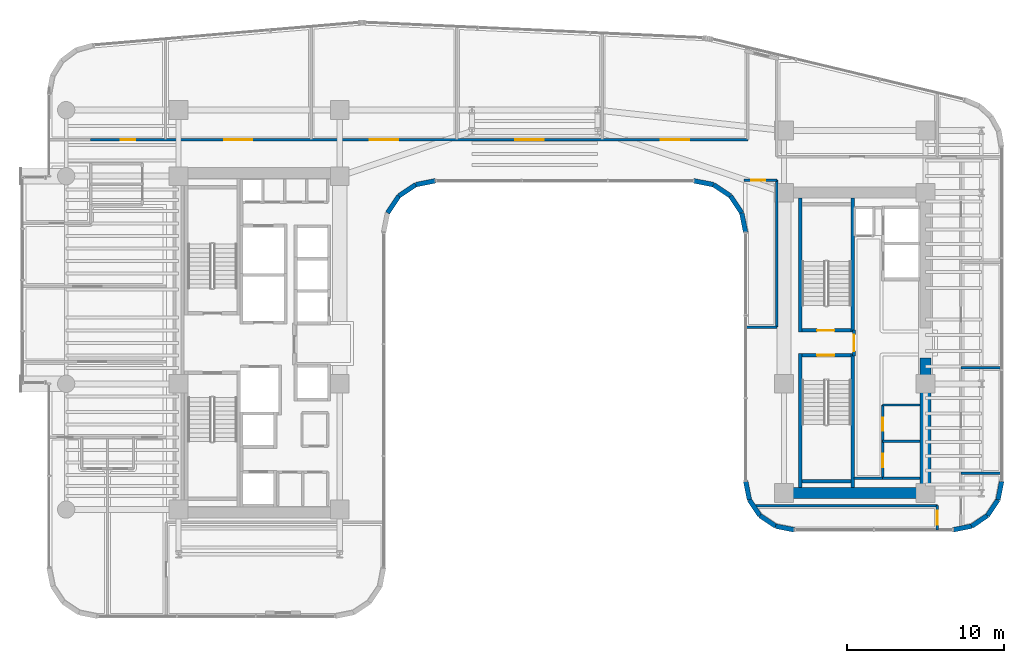
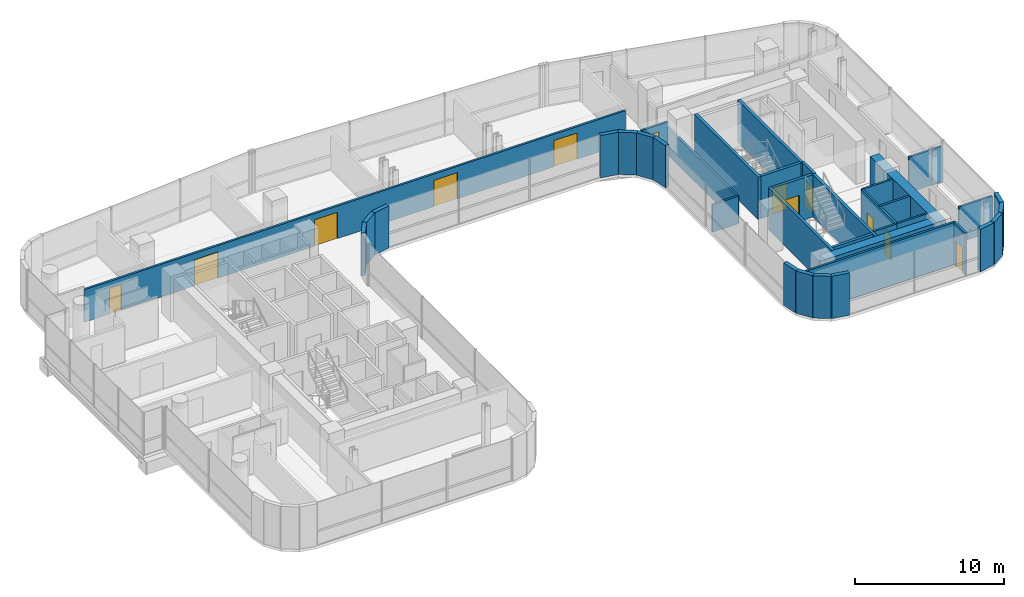
# One storey, part 28 of 35: 38 walls, 12 doors, 12 openings.
"""IFC4 building model written with IfcOpenShell, lengths in metres."""

from ifc_helpers import new_model, si_unit, direction, frame, frame_2d, origin, place, context, subcontext, project, spatial, rectangle, extrude, material, layer, layer_set, type_object, element, fill, save


model = new_model("IFC4")

# Units and contexts
model_context = context("Model", 3, precision=1e-05, world=origin(), true_north=direction((0.0, 1.0)))
body_context = subcontext(model_context, "Body", "Model", "MODEL_VIEW")
ifc_project = project(units=[si_unit("LENGTHUNIT", "METRE"), si_unit("AREAUNIT", "SQUARE_METRE"), si_unit("VOLUMEUNIT", "CUBIC_METRE"), si_unit("PLANEANGLEUNIT", "RADIAN"), si_unit("MASSUNIT", "GRAM", prefix="KILO")], contexts=[model_context])

# Site, building, storey
site_placement = place(None, origin())
site = spatial("IfcSite", under=ifc_project, at=site_placement, CompositionType="ELEMENT")
building_placement = place(site_placement, origin())
building = spatial("IfcBuilding", under=site, at=building_placement, Name="Valdorenza Pilgrim Sanctuary Tower", CompositionType="ELEMENT")
storey_placement = place(building_placement, frame((0.0, 0.0, 139.0)))
storey = spatial("IfcBuildingStorey", under=building, at=storey_placement, Name="L35", CompositionType="ELEMENT", Elevation=139.0)

# Wall
ifc_material_1 = material(Name="Acoustic twin-stud gypsum partition", Category="gypsum")
ifc_layer_1 = layer(ifc_material_1, 0.159912109375, Name="Acoustic twin-stud gypsum partition")
ifc_layer_set_1 = layer_set([ifc_layer_1], Name="Acoustic twin-stud gypsum partition")
wall_type_1 = type_object("IfcWallType", Name="WAL-COR-160", PredefinedType="PARTITIONING", material=ifc_layer_set_1)
wall_1_placement = place(storey_placement, frame((20.300048828125, -8.60009765625, 0.0), z_axis=(0.0, 0.0, 1.0), x_axis=(1.0, 0.0, 0.0)))
element("IfcWall", 1, at=wall_1_placement, inside=storey, type_object=wall_type_1, Name="L35 Core B Lift Hall South End Wall", PredefinedType="PARTITIONING", context=body_context, shape_type="SweptSolid", body=[
    extrude(rectangle(XDim=1.820068359375, YDim=0.159912109375, at=frame_2d((0.91015625, 0.0))), origin(), (0.0, 0.0, 1.0), 3.4599609375),
])

# Wall, openings, doors
wall_2_placement = place(storey_placement, frame((22.1201171875, -8.60009765625, 0.0), z_axis=(0.0, 0.0, 1.0), x_axis=(0.0, 1.0, 0.0)))
wall_2 = element("IfcWall", 2, at=wall_2_placement, inside=storey, type_object=wall_type_1, Name="L35 Core B Freed Shaft West Wall", PredefinedType="PARTITIONING", context=body_context, shape_type="SweptSolid", body=[
    extrude(rectangle(XDim=4.650146484375, YDim=0.159912109375, at=frame_2d((2.3251953125, 0.0))), origin(), (0.0, 0.0, 1.0), 3.4599609375),
])
opening_1_placement = place(wall_2_placement, frame((0.699951171875, 0.0, 0.0)))
opening_1 = element("IfcOpeningElement", 3, at=opening_1_placement, cuts=wall_2, Name="Opening DR-RS1", PredefinedType="OPENING", context=body_context, shape_type="SweptSolid", body=[
    extrude(rectangle(XDim=0.85009765625, YDim=2.050048828125, at=frame_2d((0.425048828125, 1.02490234375))), frame((0.0, 0.0947265625, 0.0), z_axis=(0.0, -1.0, 0.0), x_axis=(1.0, 0.0, 0.0)), (0.0, 0.0, 1.0), 0.189697265625),
])
opening_2_placement = place(wall_2_placement, frame((3.0, 0.0, 0.0)))
opening_2 = element("IfcOpeningElement", 4, at=opening_2_placement, cuts=wall_2, Name="Opening DR-RS1", PredefinedType="OPENING", context=body_context, shape_type="SweptSolid", body=[
    extrude(rectangle(XDim=0.85009765625, YDim=2.050048828125, at=frame_2d((0.425048828125, 1.02490234375))), frame((0.0, 0.0947265625, 0.0), z_axis=(0.0, -1.0, 0.0), x_axis=(1.0, 0.0, 0.0)), (0.0, 0.0, 1.0), 0.189697265625),
])
ifc_material_2 = material(Name="Painted galvanized steel", Category="steel")
door_type_1 = type_object("IfcDoorType", Name="DR-RSR-850", OperationType="NOTDEFINED", PredefinedType="DOOR", material=ifc_material_2)
door_1_placement = place(opening_1_placement, origin())
door_1 = element("IfcDoor", 5, at=door_1_placement, inside=storey, type_object=door_type_1, Name="L35 East Core Housekeeping Store Door", OperationType="SINGLE_SWING_RIGHT", OverallHeight=2.050048828125, OverallWidth=0.85009765625, PredefinedType="DOOR", context=body_context, shape_type="SweptSolid", body=[
    extrude(rectangle(XDim=0.85009765625, YDim=2.050048828125, at=frame_2d((0.425048828125, 1.02490234375))), frame((0.0, 0.02490234375, 0.0), z_axis=(0.0, -1.0, 0.0), x_axis=(1.0, 0.0, 0.0)), (0.0, 0.0, 1.0), 0.050048828125),
])
fill(opening_1, door_1)
door_2_placement = place(opening_2_placement, origin())
door_2 = element("IfcDoor", 6, at=door_2_placement, inside=storey, type_object=door_type_1, Name="L35 East Core Tea Pantry Door", OperationType="SINGLE_SWING_LEFT", OverallHeight=2.050048828125, OverallWidth=0.85009765625, PredefinedType="DOOR", context=body_context, shape_type="SweptSolid", body=[
    extrude(rectangle(XDim=0.85009765625, YDim=2.050048828125, at=frame_2d((0.425048828125, 1.02490234375))), frame((0.0, 0.02490234375, 0.0), z_axis=(0.0, -1.0, 0.0), x_axis=(1.0, 0.0, 0.0)), (0.0, 0.0, 1.0), 0.050048828125),
])
fill(opening_2, door_2)

# Wall
wall_3_placement = place(storey_placement, frame((22.1201171875, -6.25, 0.0), z_axis=(0.0, 0.0, 1.0), x_axis=(1.0, 0.0, 0.0)))
element("IfcWall", 7, at=wall_3_placement, inside=storey, type_object=wall_type_1, Name="L35 Core B Freed Split", PredefinedType="PARTITIONING", context=body_context, shape_type="SweptSolid", body=[
    extrude(rectangle(XDim=2.3798828125, YDim=0.159912109375, at=frame_2d((1.18994140625, 0.0))), origin(), (0.0, 0.0, 1.0), 3.4599609375),
])

# Wall, openings, doors
wall_4_placement = place(storey_placement, frame((-28.25, 12.919921875, 0.0), z_axis=(0.0, 0.0, 1.0), x_axis=(1.0, 0.0, 0.0)))
wall_4 = element("IfcWall", 8, at=wall_4_placement, inside=storey, type_object=wall_type_1, Name="L35 North Corridor Wall", PredefinedType="PARTITIONING", context=body_context, shape_type="SweptSolid", body=[
    extrude(rectangle(XDim=41.800048828125, YDim=0.159912109375, at=frame_2d((20.89990234375, 0.0))), origin(), (0.0, 0.0, 1.0), 2.666015625),
])
opening_3_placement = place(wall_4_placement, frame((1.93408203125, 0.0, 0.0)))
opening_3 = element("IfcOpeningElement", 9, at=opening_3_placement, cuts=wall_4, Name="Opening DR-RM1", PredefinedType="OPENING", context=body_context, shape_type="SweptSolid", body=[
    extrude(rectangle(XDim=0.89990234375, YDim=2.10009765625, at=frame_2d((0.449951171875, 1.050048828125))), frame((0.0, 0.0947265625, 0.0), z_axis=(0.0, -1.0, 0.0), x_axis=(1.0, 0.0, 0.0)), (0.0, 0.0, 1.0), 0.189697265625),
])
opening_4_placement = place(wall_4_placement, frame((8.4970703125, 0.0, 0.0)))
opening_4 = element("IfcOpeningElement", 10, at=opening_4_placement, cuts=wall_4, Name="Opening DR-HL1", PredefinedType="OPENING", context=body_context, shape_type="SweptSolid", body=[
    extrude(rectangle(XDim=1.800048828125, YDim=2.14990234375, at=frame_2d((0.89990234375, 1.074951171875))), frame((0.0, 0.0947265625, 0.0), z_axis=(0.0, -1.0, 0.0), x_axis=(1.0, 0.0, 0.0)), (0.0, 0.0, 1.0), 0.189697265625),
])
opening_5_placement = place(wall_4_placement, frame((17.7548828125, 0.0, 0.0)))
opening_5 = element("IfcOpeningElement", 11, at=opening_5_placement, cuts=wall_4, Name="Opening DR-HL1", PredefinedType="OPENING", context=body_context, shape_type="SweptSolid", body=[
    extrude(rectangle(XDim=1.800048828125, YDim=2.14990234375, at=frame_2d((0.89990234375, 1.074951171875))), frame((0.0, 0.0947265625, 0.0), z_axis=(0.0, -1.0, 0.0), x_axis=(1.0, 0.0, 0.0)), (0.0, 0.0, 1.0), 0.189697265625),
])
opening_6_placement = place(wall_4_placement, frame((27.012939453125, 0.0, 0.0)))
opening_6 = element("IfcOpeningElement", 12, at=opening_6_placement, cuts=wall_4, Name="Opening DR-HL1", PredefinedType="OPENING", context=body_context, shape_type="SweptSolid", body=[
    extrude(rectangle(XDim=1.800048828125, YDim=2.14990234375, at=frame_2d((0.89990234375, 1.074951171875))), frame((0.0, 0.0947265625, 0.0), z_axis=(0.0, -1.0, 0.0), x_axis=(1.0, 0.0, 0.0)), (0.0, 0.0, 1.0), 0.189697265625),
])
opening_7_placement = place(wall_4_placement, frame((36.27099609375, 0.0, 0.0)))
opening_7 = element("IfcOpeningElement", 13, at=opening_7_placement, cuts=wall_4, Name="Opening DR-HL1", PredefinedType="OPENING", context=body_context, shape_type="SweptSolid", body=[
    extrude(rectangle(XDim=1.800048828125, YDim=2.14990234375, at=frame_2d((0.89990234375, 1.074951171875))), frame((0.0, 0.0947265625, 0.0), z_axis=(0.0, -1.0, 0.0), x_axis=(1.0, 0.0, 0.0)), (0.0, 0.0, 1.0), 0.189697265625),
])
ifc_material_3 = material(Name="Acoustic oak and vision-glass double door", Category="glass")
door_type_2 = type_object("IfcDoorType", Name="DR-HALL-1800", OperationType="NOTDEFINED", PredefinedType="DOOR", material=ifc_material_3)
door_3_placement = place(opening_4_placement, frame((1.800048828125, 0.0, 0.0), z_axis=(0.0, 0.0, 1.0), x_axis=(-1.0, 0.0, 0.0)))
door_3 = element("IfcDoor", 14, at=door_3_placement, inside=storey, type_object=door_type_2, Name="L35 Theological Seminar Classroom L35-N2 Door", OperationType="DOUBLE_DOOR_SINGLE_SWING", OverallHeight=2.14990234375, OverallWidth=1.800048828125, PredefinedType="DOOR", context=body_context, shape_type="SweptSolid", body=[
    extrude(rectangle(XDim=1.800048828125, YDim=2.14990234375, at=frame_2d((0.89990234375, 1.074951171875))), frame((0.0, 0.02490234375, 0.0), z_axis=(0.0, -1.0, 0.0), x_axis=(1.0, 0.0, 0.0)), (0.0, 0.0, 1.0), 0.050048828125),
])
fill(opening_4, door_3)
door_4_placement = place(opening_5_placement, origin())
door_4 = element("IfcDoor", 15, at=door_4_placement, inside=storey, type_object=door_type_2, Name="L35 Theological Seminar Classroom L35-N3 Door", OperationType="DOUBLE_DOOR_SINGLE_SWING", OverallHeight=2.14990234375, OverallWidth=1.800048828125, PredefinedType="DOOR", context=body_context, shape_type="SweptSolid", body=[
    extrude(rectangle(XDim=1.800048828125, YDim=2.14990234375, at=frame_2d((0.89990234375, 1.074951171875))), frame((0.0, 0.02490234375, 0.0), z_axis=(0.0, -1.0, 0.0), x_axis=(1.0, 0.0, 0.0)), (0.0, 0.0, 1.0), 0.050048828125),
])
fill(opening_5, door_4)
door_5_placement = place(opening_6_placement, frame((1.800048828125, 0.0, 0.0), z_axis=(0.0, 0.0, 1.0), x_axis=(-1.0, 0.0, 0.0)))
door_5 = element("IfcDoor", 16, at=door_5_placement, inside=storey, type_object=door_type_2, Name="L35 Theological Seminar Classroom L35-N4 Door", OperationType="DOUBLE_DOOR_SINGLE_SWING", OverallHeight=2.14990234375, OverallWidth=1.800048828125, PredefinedType="DOOR", context=body_context, shape_type="SweptSolid", body=[
    extrude(rectangle(XDim=1.800048828125, YDim=2.14990234375, at=frame_2d((0.89990234375, 1.074951171875))), frame((0.0, 0.02490234375, 0.0), z_axis=(0.0, -1.0, 0.0), x_axis=(1.0, 0.0, 0.0)), (0.0, 0.0, 1.0), 0.050048828125),
])
fill(opening_6, door_5)
door_6_placement = place(opening_7_placement, origin())
door_6 = element("IfcDoor", 17, at=door_6_placement, inside=storey, type_object=door_type_2, Name="L35 Theological Seminar Classroom L35-N5 Door", OperationType="DOUBLE_DOOR_SINGLE_SWING", OverallHeight=2.14990234375, OverallWidth=1.800048828125, PredefinedType="DOOR", context=body_context, shape_type="SweptSolid", body=[
    extrude(rectangle(XDim=1.800048828125, YDim=2.14990234375, at=frame_2d((0.89990234375, 1.074951171875))), frame((0.0, 0.02490234375, 0.0), z_axis=(0.0, -1.0, 0.0), x_axis=(1.0, 0.0, 0.0)), (0.0, 0.0, 1.0), 0.050048828125),
])
fill(opening_7, door_6)
ifc_material_4 = material(Name="Solid-core European oak timber", Category="wood")
door_type_3 = type_object("IfcDoorType", Name="DR-ROOM-900", OperationType="NOTDEFINED", PredefinedType="DOOR", material=ifc_material_4)
door_7_placement = place(opening_3_placement, origin())
door_7 = element("IfcDoor", 18, at=door_7_placement, inside=storey, type_object=door_type_3, Name="L35 Theological Seminar Classroom L35-N1 Door", OperationType="SINGLE_SWING_RIGHT", OverallHeight=2.10009765625, OverallWidth=0.89990234375, PredefinedType="DOOR", context=body_context, shape_type="SweptSolid", body=[
    extrude(rectangle(XDim=0.89990234375, YDim=2.10009765625, at=frame_2d((0.449951171875, 1.050048828125))), frame((0.0, 0.02490234375, 0.0), z_axis=(0.0, -1.0, 0.0), x_axis=(1.0, 0.0, 0.0)), (0.0, 0.0, 1.0), 0.050048828125),
])
fill(opening_3, door_7)

# Wall, opening, door
wall_5_placement = place(storey_placement, frame((25.60009765625, -11.889892578125, 0.0), z_axis=(0.0, 0.0, 1.0), x_axis=(0.0, 1.0, 0.0)))
wall_5 = element("IfcWall", 19, at=wall_5_placement, inside=storey, type_object=wall_type_1, Name="L35 Wing B South-East Wall", PredefinedType="PARTITIONING", context=body_context, shape_type="SweptSolid", body=[
    extrude(rectangle(XDim=1.539794921875, YDim=0.159912109375, at=frame_2d((0.77001953125, 0.0))), origin(), (0.0, 0.0, 1.0), 3.4599609375),
])
opening_8_placement = place(wall_5_placement, frame((0.320068359375, 0.0, 0.0)))
opening_8 = element("IfcOpeningElement", 20, at=opening_8_placement, cuts=wall_5, Name="Opening DR-RM1", PredefinedType="OPENING", context=body_context, shape_type="SweptSolid", body=[
    extrude(rectangle(XDim=0.89990234375, YDim=2.10009765625, at=frame_2d((0.449951171875, 1.050048828125))), frame((0.0, 0.0947265625, 0.0), z_axis=(0.0, -1.0, 0.0), x_axis=(1.0, 0.0, 0.0)), (0.0, 0.0, 1.0), 0.189697265625),
])
door_8_placement = place(opening_8_placement, origin())
door_8 = element("IfcDoor", 21, at=door_8_placement, inside=storey, type_object=door_type_3, Name="L35 Sacred Manuscript Archive L35-BS Door", OperationType="SINGLE_SWING_RIGHT", OverallHeight=2.10009765625, OverallWidth=0.89990234375, PredefinedType="DOOR", context=body_context, shape_type="SweptSolid", body=[
    extrude(rectangle(XDim=0.89990234375, YDim=2.10009765625, at=frame_2d((0.449951171875, 1.050048828125))), frame((0.0, 0.02490234375, 0.0), z_axis=(0.0, -1.0, 0.0), x_axis=(1.0, 0.0, 0.0)), (0.0, 0.0, 1.0), 0.050048828125),
])
fill(opening_8, door_8)

# Wall
wall_6_placement = place(storey_placement, frame((14.043701171875, -10.35009765625, 0.0), z_axis=(0.0, 0.0, 1.0), x_axis=(1.0, 0.0, 0.0)))
element("IfcWall", 22, at=wall_6_placement, inside=storey, type_object=wall_type_1, Name="L35 Wing B South Closure", PredefinedType="PARTITIONING", context=body_context, shape_type="SweptSolid", body=[
    extrude(rectangle(XDim=11.556396484375, YDim=0.159912109375, at=frame_2d((5.7783203125, 0.0))), origin(), (0.0, 0.0, 1.0), 3.4599609375),
])

# Wall, opening, door
wall_7_placement = place(storey_placement, frame((13.300048828125, 10.35009765625, 0.0), z_axis=(0.0, 0.0, 1.0), x_axis=(1.0, 0.0, 0.0)))
wall_7 = element("IfcWall", 23, at=wall_7_placement, inside=storey, type_object=wall_type_1, Name="L35 Courtyard Overlook North Wall", PredefinedType="PARTITIONING", context=body_context, shape_type="SweptSolid", body=[
    extrude(rectangle(XDim=2.099853515625, YDim=0.159912109375, at=frame_2d((1.0498046875, 0.0))), origin(), (0.0, 0.0, 1.0), 2.666015625),
])
opening_9_placement = place(wall_7_placement, frame((0.449951171875, 0.0, 0.0)))
opening_9 = element("IfcOpeningElement", 24, at=opening_9_placement, cuts=wall_7, Name="Opening DR-RM1", PredefinedType="OPENING", context=body_context, shape_type="SweptSolid", body=[
    extrude(rectangle(XDim=0.89990234375, YDim=2.10009765625, at=frame_2d((0.449951171875, 1.050048828125))), frame((0.0, 0.0947265625, 0.0), z_axis=(0.0, -1.0, 0.0), x_axis=(1.0, 0.0, 0.0)), (0.0, 0.0, 1.0), 0.189697265625),
])
door_9_placement = place(opening_9_placement, origin())
door_9 = element("IfcDoor", 25, at=door_9_placement, inside=storey, type_object=door_type_3, Name="L35 Courtyard Overlook Salon Door", OperationType="SINGLE_SWING_RIGHT", OverallHeight=2.10009765625, OverallWidth=0.89990234375, PredefinedType="DOOR", context=body_context, shape_type="SweptSolid", body=[
    extrude(rectangle(XDim=0.89990234375, YDim=2.10009765625, at=frame_2d((0.449951171875, 1.050048828125))), frame((0.0, 0.02490234375, 0.0), z_axis=(0.0, -1.0, 0.0), x_axis=(1.0, 0.0, 0.0)), (0.0, 0.0, 1.0), 0.050048828125),
])
fill(opening_9, door_9)

# Walls
wall_8_placement = place(storey_placement, frame((15.39990234375, 1.0, 0.0), z_axis=(0.0, 0.0, 1.0), x_axis=(0.0, 1.0, 0.0)))
element("IfcWall", 26, at=wall_8_placement, inside=storey, type_object=wall_type_1, Name="L35 Courtyard Overlook East Wall", PredefinedType="PARTITIONING", context=body_context, shape_type="SweptSolid", body=[
    extrude(rectangle(XDim=9.35009765625, YDim=0.159912109375, at=frame_2d((4.675048828125, 0.0))), origin(), (0.0, 0.0, 1.0), 2.2451171875),
])
wall_9_placement = place(storey_placement, frame((13.409912109375, 1.0, 0.0), z_axis=(0.0, 0.0, 1.0), x_axis=(1.0, 0.0, 0.0)))
element("IfcWall", 27, at=wall_9_placement, inside=storey, type_object=wall_type_1, Name="L35 Courtyard Overlook South Wall", PredefinedType="PARTITIONING", context=body_context, shape_type="SweptSolid", body=[
    extrude(rectangle(XDim=1.989990234375, YDim=0.159912109375, at=frame_2d((0.9951171875, 0.0))), origin(), (0.0, 0.0, 1.0), 2.2451171875),
])
ifc_material_5 = material(Name="Concrete C60/75", Category="concrete")
ifc_layer_2 = layer(ifc_material_5, 0.699951171875, Name="Concrete C60/75")
ifc_layer_set_2 = layer_set([ifc_layer_2], Name="Concrete C60/75")
wall_type_2 = type_object("IfcWallType", Name="WAL-COR-700", PredefinedType="SHEAR", material=ifc_layer_set_2)
wall_10_placement = place(storey_placement, frame((24.85009765625, -9.89990234375, 0.0), z_axis=(0.0, 0.0, 1.0), x_axis=(0.0, 1.0, 0.0)))
element("IfcWall", 28, at=wall_10_placement, inside=storey, type_object=wall_type_2, Name="L35 Split Core B Shear Wall ES", PredefinedType="SHEAR", context=body_context, shape_type="SweptSolid", body=[
    extrude(rectangle(XDim=8.949951171875, YDim=0.699951171875, at=frame_2d((4.47509765625, 0.0))), origin(), (0.0, 0.0, 1.0), 3.4599609375),
])
wall_11_placement = place(storey_placement, frame((15.85009765625, -9.550048828125, 0.0), z_axis=(0.0, 0.0, 1.0), x_axis=(1.0, 0.0, 0.0)))
element("IfcWall", 29, at=wall_11_placement, inside=storey, type_object=wall_type_2, Name="L35 Split Core B Shear Wall S", PredefinedType="SHEAR", context=body_context, shape_type="SweptSolid", body=[
    extrude(rectangle(XDim=9.0, YDim=0.699951171875, at=frame_2d((4.5, 0.0))), origin(), (0.0, 0.0, 1.0), 3.4599609375),
])
ifc_material_6 = material(Name="Honed travertine limestone", Category="masonry")
ifc_layer_3 = layer(ifc_material_6, 0.300048828125, Name="Honed travertine limestone")
ifc_layer_set_3 = layer_set([ifc_layer_3], Name="Honed travertine limestone")
wall_type_3 = type_object("IfcWallType", Name="WAL-EXT-300", PredefinedType="SOLIDWALL", material=ifc_layer_set_3)
wall_12_placement = place(storey_placement, frame((29.68994140625, -8.789306640625, 0.0), z_axis=(0.0, 0.0, 1.0), x_axis=(-0.194996050505, -0.980804027463, 0.0)))
element("IfcWall", 30, at=wall_12_placement, inside=storey, type_object=wall_type_3, Name="L35 Rounded Wind-Corner Stone Pier 22", PredefinedType="SOLIDWALL", context=body_context, shape_type="SweptSolid", body=[
    extrude(rectangle(XDim=1.2158203125, YDim=0.300048828125, at=frame_2d((0.60791015625, 0.0))), origin(), (0.0, 0.0, 1.0), 3.4599609375),
])
for number, where, z_axis, x_axis, name in (
    (31, (29.452880859375, -9.981689453125, 0.0), (0.0, 0.0, 1.0), (-0.555635100982, -0.831426265255, 0.0), "L35 Rounded Wind-Corner Stone Pier 23"),
    (32, (28.783447265625, -10.9833984375, 0.0), (0.0, 0.0, 1.0), (-0.831426265255, -0.555635100982, 0.0), "L35 Rounded Wind-Corner Stone Pier 24"),
):
    element("IfcWall", number, at=place(storey_placement, frame(where, z_axis=z_axis, x_axis=x_axis)), inside=storey, type_object=wall_type_3, Name=name, PredefinedType="SOLIDWALL", context=body_context, shape_type="SweptSolid", body=[
        extrude(rectangle(XDim=1.204833984375, YDim=0.300048828125, at=frame_2d((0.6025390625, 0.0))), origin(), (0.0, 0.0, 1.0), 3.4599609375),
    ])
wall_13_placement = place(storey_placement, frame((27.78173828125, -11.65283203125, 0.0), z_axis=(0.0, 0.0, 1.0), x_axis=(-0.980811661072, -0.194957650543, 0.0)))
element("IfcWall", 33, at=wall_13_placement, inside=storey, type_object=wall_type_3, Name="L35 Rounded Wind-Corner Stone Pier 25", PredefinedType="SOLIDWALL", context=body_context, shape_type="SweptSolid", body=[
    extrude(rectangle(XDim=1.216064453125, YDim=0.300048828125, at=frame_2d((0.60791015625, 0.0))), origin(), (0.0, 0.0, 1.0), 3.4599609375),
])
wall_14_placement = place(storey_placement, frame((16.5107421875, -11.889892578125, 0.0), z_axis=(0.0, 0.0, 1.0), x_axis=(-0.980804027463, 0.194996050505, 0.0)))
element("IfcWall", 34, at=wall_14_placement, inside=storey, type_object=wall_type_3, Name="L35 Rounded Wind-Corner Stone Pier 27", PredefinedType="SOLIDWALL", context=body_context, shape_type="SweptSolid", body=[
    extrude(rectangle(XDim=1.2158203125, YDim=0.300048828125, at=frame_2d((0.60791015625, 0.0))), origin(), (0.0, 0.0, 1.0), 3.4599609375),
])
for number, where, z_axis, x_axis, name in (
    (35, (15.318359375, -11.65283203125, 0.0), (0.0, 0.0, 1.0), (-0.831426265255, 0.555635100982, 0.0), "L35 Rounded Wind-Corner Stone Pier 28"),
    (36, (14.316650390625, -10.9833984375, 0.0), (0.0, 0.0, 1.0), (-0.555635100982, 0.831426265255, 0.0), "L35 Rounded Wind-Corner Stone Pier 29"),
):
    element("IfcWall", number, at=place(storey_placement, frame(where, z_axis=z_axis, x_axis=x_axis)), inside=storey, type_object=wall_type_3, Name=name, PredefinedType="SOLIDWALL", context=body_context, shape_type="SweptSolid", body=[
        extrude(rectangle(XDim=1.204833984375, YDim=0.300048828125, at=frame_2d((0.6025390625, 0.0))), origin(), (0.0, 0.0, 1.0), 3.4599609375),
    ])
wall_15_placement = place(storey_placement, frame((13.647216796875, -9.981689453125, 0.0), z_axis=(0.0, 0.0, 1.0), x_axis=(-0.195189223115, 0.980765602568, 0.0)))
element("IfcWall", 37, at=wall_15_placement, inside=storey, type_object=wall_type_3, Name="L35 Rounded Wind-Corner Stone Pier 30", PredefinedType="SOLIDWALL", context=body_context, shape_type="SweptSolid", body=[
    extrude(rectangle(XDim=1.2158203125, YDim=0.300048828125, at=frame_2d((0.60791015625, 0.0))), origin(), (0.0, 0.0, 1.0), 3.4599609375),
])
wall_16_placement = place(storey_placement, frame((13.409912109375, 7.0107421875, 0.0), z_axis=(0.0, 0.0, 1.0), x_axis=(-0.195090163074, 0.980785312019, 0.0)))
element("IfcWall", 38, at=wall_16_placement, inside=storey, type_object=wall_type_3, Name="L35 Rounded Wind-Corner Stone Pier 32", PredefinedType="SOLIDWALL", context=body_context, shape_type="SweptSolid", body=[
    extrude(rectangle(XDim=1.281494140625, YDim=0.300048828125, at=frame_2d((0.640625, 0.0))), origin(), (0.0, 0.0, 1.0), 3.4599609375),
])
for number, where, z_axis, x_axis, name in (
    (39, (13.159912109375, 8.267578125, 0.0), (0.0, 0.0, 1.0), (-0.555615398575, 0.831439431869, 0.0), "L35 Rounded Wind-Corner Stone Pier 33"),
    (40, (12.44189453125, 9.342041015625, 0.0), (0.0, 0.0, 1.0), (-0.831439431869, 0.555615398575, 0.0), "L35 Rounded Wind-Corner Stone Pier 34"),
):
    element("IfcWall", number, at=place(storey_placement, frame(where, z_axis=z_axis, x_axis=x_axis)), inside=storey, type_object=wall_type_3, Name=name, PredefinedType="SOLIDWALL", context=body_context, shape_type="SweptSolid", body=[
        extrude(rectangle(XDim=1.292236328125, YDim=0.300048828125, at=frame_2d((0.64599609375, 0.0))), origin(), (0.0, 0.0, 1.0), 3.4599609375),
    ])
for number, where, z_axis, x_axis, name in (
    (41, (11.367431640625, 10.06005859375, 0.0), (0.0, 0.0, 1.0), (-0.980778058848, 0.195126623715, 0.0), "L35 Rounded Wind-Corner Stone Pier 35"),
    (42, (-6.310791015625, 10.31005859375, 0.0), (0.0, 0.0, 1.0), (-0.980778058848, -0.195126623715, 0.0), "L35 Rounded Wind-Corner Stone Pier 37"),
):
    element("IfcWall", number, at=place(storey_placement, frame(where, z_axis=z_axis, x_axis=x_axis)), inside=storey, type_object=wall_type_3, Name=name, PredefinedType="SOLIDWALL", context=body_context, shape_type="SweptSolid", body=[
        extrude(rectangle(XDim=1.28125, YDim=0.300048828125, at=frame_2d((0.640625, 0.0))), origin(), (0.0, 0.0, 1.0), 3.4599609375),
    ])
wall_17_placement = place(storey_placement, frame((-7.5673828125, 10.06005859375, 0.0), z_axis=(0.0, 0.0, 1.0), x_axis=(-0.831497739511, -0.555528135371, 0.0)))
element("IfcWall", 43, at=wall_17_placement, inside=storey, type_object=wall_type_3, Name="L35 Rounded Wind-Corner Stone Pier 38", PredefinedType="SOLIDWALL", context=body_context, shape_type="SweptSolid", body=[
    extrude(rectangle(XDim=1.29248046875, YDim=0.300048828125, at=frame_2d((0.646240234375, 0.0))), origin(), (0.0, 0.0, 1.0), 3.4599609375),
])
wall_18_placement = place(storey_placement, frame((-8.64208984375, 9.342041015625, 0.0), z_axis=(0.0, 0.0, 1.0), x_axis=(-0.555615398575, -0.831439431869, 0.0)))
element("IfcWall", 44, at=wall_18_placement, inside=storey, type_object=wall_type_3, Name="L35 Rounded Wind-Corner Stone Pier 39", PredefinedType="SOLIDWALL", context=body_context, shape_type="SweptSolid", body=[
    extrude(rectangle(XDim=1.292236328125, YDim=0.300048828125, at=frame_2d((0.64599609375, 0.0))), origin(), (0.0, 0.0, 1.0), 3.4599609375),
])

# Wall, opening, door
ifc_material_7 = material(Name="Gypsum shaftwall partition", Category="gypsum")
ifc_layer_4 = layer(ifc_material_7, 0.199951171875, Name="Gypsum shaftwall partition")
ifc_layer_set_4 = layer_set([ifc_layer_4], Name="Gypsum shaftwall partition")
wall_type_4 = type_object("IfcWallType", Name="WAL-FFL-200", PredefinedType="PARTITIONING", material=ifc_layer_set_4)
wall_19_placement = place(storey_placement, frame((20.300048828125, -0.820068359375, 0.0), z_axis=(0.0, 0.0, 1.0), x_axis=(0.0, 1.0, 0.0)))
wall_19 = element("IfcWall", 45, at=wall_19_placement, inside=storey, type_object=wall_type_4, Name="L35 Core B Firefighting Lobby East Wall", PredefinedType="PARTITIONING", context=body_context, shape_type="SweptSolid", body=[
    extrude(rectangle(XDim=1.64013671875, YDim=0.199951171875, at=frame_2d((0.820068359375, 0.0))), origin(), (0.0, 0.0, 1.0), 3.4599609375),
])
opening_10_placement = place(wall_19_placement, frame((0.294921875, 0.0, 0.0)))
opening_10 = element("IfcOpeningElement", 46, at=opening_10_placement, cuts=wall_19, Name="Opening DR-FL1", PredefinedType="OPENING", context=body_context, shape_type="SweptSolid", body=[
    extrude(rectangle(XDim=1.050048828125, YDim=2.14990234375, at=frame_2d((0.52490234375, 1.074951171875))), frame((0.0, 0.11474609375, 0.0), z_axis=(0.0, -1.0, 0.0), x_axis=(1.0, 0.0, 0.0)), (0.0, 0.0, 1.0), 0.229736328125),
])
door_type_4 = type_object("IfcDoorType", Name="DR-FFL-1050", OperationType="NOTDEFINED", PredefinedType="DOOR", material=ifc_material_2)
door_10_placement = place(opening_10_placement, origin())
door_10 = element("IfcDoor", 47, at=door_10_placement, inside=storey, type_object=door_type_4, Name="L35 Core B Firefighting Lobby Door", OperationType="SINGLE_SWING_RIGHT", OverallHeight=2.14990234375, OverallWidth=1.050048828125, PredefinedType="DOOR", context=body_context, shape_type="SweptSolid", body=[
    extrude(rectangle(XDim=1.050048828125, YDim=2.14990234375, at=frame_2d((0.52490234375, 1.074951171875))), frame((0.0, 0.02490234375, 0.0), z_axis=(0.0, -1.0, 0.0), x_axis=(1.0, 0.0, 0.0)), (0.0, 0.0, 1.0), 0.050048828125),
])
fill(opening_10, door_10)

# Walls
ifc_material_8 = material(Name="Concrete C40/50", Category="concrete")
ifc_layer_5 = layer(ifc_material_8, 0.219970703125, Name="Concrete C40/50")
ifc_layer_set_5 = layer_set([ifc_layer_5], Name="Concrete C40/50")
wall_type_5 = type_object("IfcWallType", Name="WAL-STR-SHF-220", PredefinedType="SHEAR", material=ifc_layer_set_5)
for number, where, z_axis, x_axis, name in (
    (48, (16.889892578125, 0.679931640625, 0.0), (0.0, 0.0, 1.0), (0.0, 1.0, 0.0), "L35 ST-B1 Structural Stairwell Wall W"),
    (49, (20.219970703125, 0.679931640625, 0.0), (0.0, 0.0, 1.0), (0.0, 1.0, 0.0), "L35 ST-B1 Structural Stairwell Wall E"),
):
    element("IfcWall", number, at=place(storey_placement, frame(where, z_axis=z_axis, x_axis=x_axis)), inside=storey, type_object=wall_type_5, Name=name, PredefinedType="SHEAR", context=body_context, shape_type="SweptSolid", body=[
        extrude(rectangle(XDim=8.52001953125, YDim=0.219970703125, at=frame_2d((4.260009765625, 0.0))), origin(), (0.0, 0.0, 1.0), 3.4599609375),
    ])

# Wall, opening, door
wall_20_placement = place(storey_placement, frame((17.0, 0.7900390625, 0.0), z_axis=(0.0, 0.0, 1.0), x_axis=(1.0, 0.0, 0.0)))
wall_20 = element("IfcWall", 50, at=wall_20_placement, inside=storey, type_object=wall_type_5, Name="L35 ST-B1 Structural Stairwell Wall S", PredefinedType="SHEAR", context=body_context, shape_type="SweptSolid", body=[
    extrude(rectangle(XDim=3.110107421875, YDim=0.219970703125, at=frame_2d((1.55517578125, 0.0))), origin(), (0.0, 0.0, 1.0), 3.4599609375),
])
opening_11_placement = place(wall_20_placement, frame((0.949951171875, 0.0, 0.0)))
opening_11 = element("IfcOpeningElement", 51, at=opening_11_placement, cuts=wall_20, Name="Opening DR-ST1", PredefinedType="OPENING", context=body_context, shape_type="SweptSolid", body=[
    extrude(rectangle(XDim=1.10009765625, YDim=2.14990234375, at=frame_2d((0.550048828125, 1.074951171875))), frame((0.0, 0.125, 0.0), z_axis=(0.0, -1.0, 0.0), x_axis=(1.0, 0.0, 0.0)), (0.0, 0.0, 1.0), 0.249755859375),
])
door_type_5 = type_object("IfcDoorType", Name="DR-STAIR-1100", OperationType="NOTDEFINED", PredefinedType="DOOR", material=ifc_material_2)
door_11_placement = place(opening_11_placement, frame((1.10009765625, 0.0, 0.0), z_axis=(0.0, 0.0, 1.0), x_axis=(-1.0, 0.0, 0.0)))
door_11 = element("IfcDoor", 52, at=door_11_placement, inside=storey, type_object=door_type_5, Name="L35 Exit Stair ST-B1 Door", OperationType="SINGLE_SWING_LEFT", OverallHeight=2.14990234375, OverallWidth=1.10009765625, PredefinedType="DOOR", context=body_context, shape_type="SweptSolid", body=[
    extrude(rectangle(XDim=1.10009765625, YDim=2.14990234375, at=frame_2d((0.550048828125, 1.074951171875))), frame((0.0, 0.02490234375, 0.0), z_axis=(0.0, -1.0, 0.0), x_axis=(1.0, 0.0, 0.0)), (0.0, 0.0, 1.0), 0.050048828125),
])
fill(opening_11, door_11)

# Walls
for number, where, z_axis, x_axis, name in (
    (53, (16.889892578125, -9.199951171875, 0.0), (0.0, 0.0, 1.0), (0.0, 1.0, 0.0), "L35 ST-B2 Structural Stairwell Wall W"),
    (54, (20.219970703125, -9.199951171875, 0.0), (0.0, 0.0, 1.0), (0.0, 1.0, 0.0), "L35 ST-B2 Structural Stairwell Wall E"),
):
    element("IfcWall", number, at=place(storey_placement, frame(where, z_axis=z_axis, x_axis=x_axis)), inside=storey, type_object=wall_type_5, Name=name, PredefinedType="SHEAR", context=body_context, shape_type="SweptSolid", body=[
        extrude(rectangle(XDim=8.52001953125, YDim=0.219970703125, at=frame_2d((4.260009765625, 0.0))), origin(), (0.0, 0.0, 1.0), 3.4599609375),
    ])
wall_21_placement = place(storey_placement, frame((17.0, -8.81005859375, 0.0), z_axis=(0.0, 0.0, 1.0), x_axis=(1.0, 0.0, 0.0)))
element("IfcWall", 55, at=wall_21_placement, inside=storey, type_object=wall_type_5, Name="L35 ST-B2 Structural Stairwell Wall S", PredefinedType="SHEAR", context=body_context, shape_type="SweptSolid", body=[
    extrude(rectangle(XDim=3.110107421875, YDim=0.219970703125, at=frame_2d((1.55517578125, 0.0))), origin(), (0.0, 0.0, 1.0), 3.4599609375),
])

# Wall, opening, door
wall_22_placement = place(storey_placement, frame((17.0, -0.7900390625, 0.0), z_axis=(0.0, 0.0, 1.0), x_axis=(1.0, 0.0, 0.0)))
wall_22 = element("IfcWall", 56, at=wall_22_placement, inside=storey, type_object=wall_type_5, Name="L35 ST-B2 Structural Stairwell Wall N", PredefinedType="SHEAR", context=body_context, shape_type="SweptSolid", body=[
    extrude(rectangle(XDim=3.110107421875, YDim=0.219970703125, at=frame_2d((1.55517578125, 0.0))), origin(), (0.0, 0.0, 1.0), 3.4599609375),
])
opening_12_placement = place(wall_22_placement, frame((0.949951171875, 0.0, 0.0)))
opening_12 = element("IfcOpeningElement", 57, at=opening_12_placement, cuts=wall_22, Name="Opening DR-ST1", PredefinedType="OPENING", context=body_context, shape_type="SweptSolid", body=[
    extrude(rectangle(XDim=1.10009765625, YDim=2.14990234375, at=frame_2d((0.550048828125, 1.074951171875))), frame((0.0, 0.125, 0.0), z_axis=(0.0, -1.0, 0.0), x_axis=(1.0, 0.0, 0.0)), (0.0, 0.0, 1.0), 0.249755859375),
])
door_12_placement = place(opening_12_placement, origin())
door_12 = element("IfcDoor", 58, at=door_12_placement, inside=storey, type_object=door_type_5, Name="L35 Exit Stair ST-B2 Door", OperationType="SINGLE_SWING_RIGHT", OverallHeight=2.14990234375, OverallWidth=1.10009765625, PredefinedType="DOOR", context=body_context, shape_type="SweptSolid", body=[
    extrude(rectangle(XDim=1.10009765625, YDim=2.14990234375, at=frame_2d((0.550048828125, 1.074951171875))), frame((0.0, 0.02490234375, 0.0), z_axis=(0.0, -1.0, 0.0), x_axis=(1.0, 0.0, 0.0)), (0.0, 0.0, 1.0), 0.050048828125),
])
fill(opening_12, door_12)

# Walls
ifc_layer_6 = layer(ifc_material_1, 0.14990234375, Name="Acoustic twin-stud gypsum partition")
ifc_layer_set_6 = layer_set([ifc_layer_6], Name="Acoustic twin-stud gypsum partition")
wall_type_6 = type_object("IfcWallType", Name="WAL-UNT-150", PredefinedType="PARTITIONING", material=ifc_layer_set_6)
for number, where, z_axis, x_axis, name in (
    (59, (22.1201171875, -3.949951171875, 0.0), (0.0, 0.0, 1.0), (1.0, 0.0, 0.0), "L35 Core B Freed Shaft North Wall"),
    (60, (22.1201171875, -8.60009765625, 0.0), (0.0, 0.0, 1.0), (1.0, 0.0, 0.0), "L35 Core B Freed Shaft South Wall"),
):
    element("IfcWall", number, at=place(storey_placement, frame(where, z_axis=z_axis, x_axis=x_axis)), inside=storey, type_object=wall_type_6, Name=name, PredefinedType="PARTITIONING", context=body_context, shape_type="SweptSolid", body=[
        extrude(rectangle(XDim=2.3798828125, YDim=0.14990234375, at=frame_2d((1.18994140625, 0.0))), origin(), (0.0, 0.0, 1.0), 3.4599609375),
    ])
for number, where, z_axis, x_axis, name in (
    (61, (27.10009765625, -8.287109375, 0.0), (0.0, 0.0, 1.0), (1.0, 0.0, 0.0), "L35 East Wing Guest Demising 1"),
    (62, (27.10009765625, -1.574951171875, 0.0), (0.0, 0.0, 1.0), (1.0, 0.0, 0.0), "L35 East Wing Guest Demising 2"),
):
    element("IfcWall", number, at=place(storey_placement, frame(where, z_axis=z_axis, x_axis=x_axis)), inside=storey, type_object=wall_type_6, Name=name, PredefinedType="PARTITIONING", context=body_context, shape_type="SweptSolid", body=[
        extrude(rectangle(XDim=2.58984375, YDim=0.14990234375, at=frame_2d((1.294921875, 0.0))), origin(), (0.0, 0.0, 1.0), 2.89599609375),
    ])

save(model, "model.ifc")
